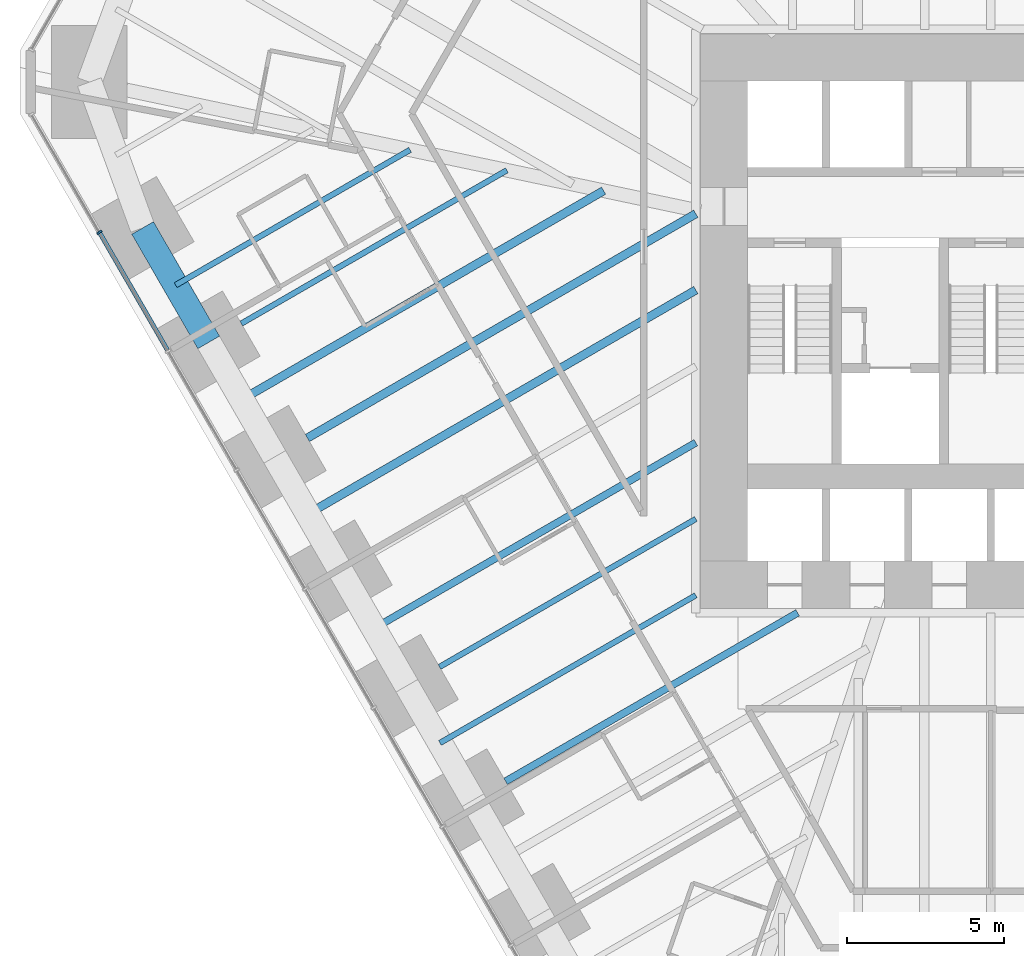
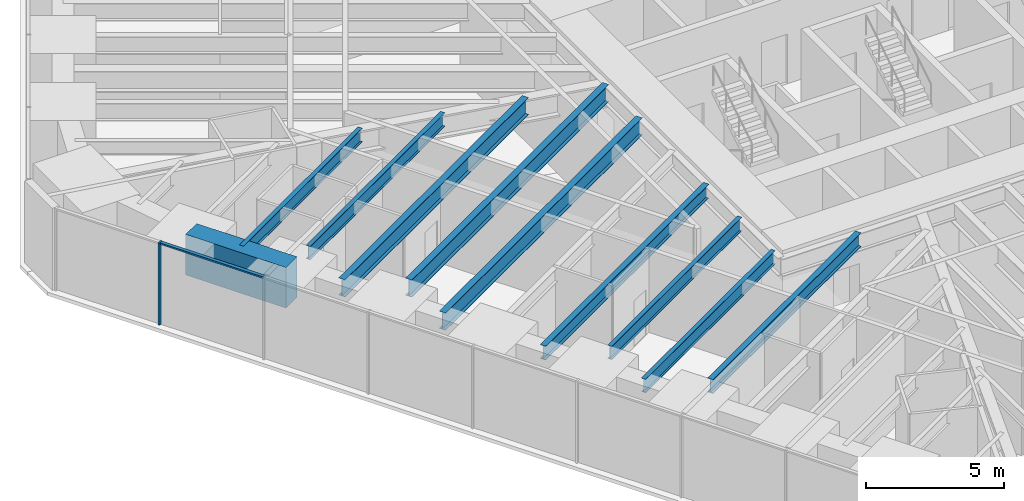
# One storey, part 3 of 17: 10 beams, 2 members, 1 element without a shape of its own.
"""IFC4 building model written with IfcOpenShell, lengths in metres."""

from ifc_helpers import new_model, si_unit, direction, frame, origin, origin_2d, place, context, subcontext, project, spatial, rectangle, i_section, extrude, material, material_profile, profile_set, type_object, element, aggregate, save


model = new_model("IFC4")

# Units and contexts
model_context = context("Model", 3, precision=1e-05, world=origin(), true_north=direction((0.0, 1.0)))
body_context = subcontext(model_context, "Body", "Model", "MODEL_VIEW")
ifc_project = project(units=[si_unit("LENGTHUNIT", "METRE"), si_unit("AREAUNIT", "SQUARE_METRE"), si_unit("VOLUMEUNIT", "CUBIC_METRE"), si_unit("PLANEANGLEUNIT", "RADIAN"), si_unit("MASSUNIT", "GRAM", prefix="KILO")], contexts=[model_context])

# Site, building, storey
site_placement = place(None, origin())
site = spatial("IfcSite", under=ifc_project, at=site_placement, CompositionType="ELEMENT")
building_placement = place(site_placement, origin())
building = spatial("IfcBuilding", under=site, at=building_placement, Name="Sandreach Pilgrim Tower", CompositionType="ELEMENT")
storey_placement = place(building_placement, frame((0.0, 0.0, 53.39990234375)))
storey = spatial("IfcBuildingStorey", under=building, at=storey_placement, Name="L12", CompositionType="ELEMENT", Elevation=53.39990234375)

# Curtain wall, members
ifc_material_1 = material(Name="Aluminium framed curtain wall", Category="aluminium")
curtain_wall_type = type_object("IfcCurtainWallType", Name="Hostel tower curtain wall", PredefinedType="NOTDEFINED", material=ifc_material_1)
curtain_wall_placement = place(storey_placement, origin())
curtain_wall = element("IfcCurtainWall", 1, at=curtain_wall_placement, inside=storey, type_object=curtain_wall_type, Name="CW-1 L12 SW", PredefinedType="NOTDEFINED")
ifc_material_2 = material(Name="Aluminium extrusion", Category="aluminium")
ifc_material_profile_1 = material_profile(ifc_material_2, rectangle(XDim=0.06494140625, YDim=0.179931640625, at=origin_2d()), Name="CW-1M 65X180")
ifc_profile_set_1 = profile_set([ifc_material_profile_1], Name="Aluminium extrusion")
member_type_1 = type_object("IfcMemberType", Name="CW-1 mullion", PredefinedType="MULLION", material=ifc_profile_set_1)
member_1_placement = place(storey_placement, frame((-28.390380859375, 1.2763671875, 0.0), z_axis=(0.0, 0.0, 1.0), x_axis=(-0.5, 0.866025403784, 0.0)))
member_1 = element("IfcMember", 2, at=member_1_placement, type_object=member_type_1, Name="CW-1 mullion 9", PredefinedType="MULLION", context=body_context, shape_type="SweptSolid", body=[
    extrude(rectangle(XDim=0.06494140625, YDim=0.179931640625, at=origin_2d()), origin(), (0.0, 0.0, 1.0), 3.64013671875),
])
ifc_material_3 = material(Name="Aluminium extrusion", Category="aluminium")
ifc_material_profile_2 = material_profile(ifc_material_3, rectangle(XDim=0.139892578125, YDim=0.070068359375, at=origin_2d()), Name="CW-1T 140X70")
ifc_profile_set_2 = profile_set([ifc_material_profile_2], Name="Aluminium extrusion")
member_type_2 = type_object("IfcMemberType", Name="CW-1 transom", PredefinedType="USERDEFINED", material=ifc_profile_set_2)
member_2_placement = place(storey_placement, frame((-26.220947265625, -2.4814453125, 3.60498046875), z_axis=(-0.500016891966, 0.866015650984, 0.0), x_axis=(-0.866015650984, -0.500016891966, 0.0)))
member_2 = element("IfcMember", 3, at=member_2_placement, type_object=member_type_2, Name="CW-1 head transom 8", ObjectType="TRANSOM", PredefinedType="USERDEFINED", context=body_context, shape_type="SweptSolid", body=[
    extrude(rectangle(XDim=0.139892578125, YDim=0.070068359375, at=origin_2d()), origin(), (0.0, 0.0, 1.0), 4.306396484375),
])
aggregate(curtain_wall, [member_1, member_2])

# Beams
ifc_material_4 = material(Name="Steel ASTM A992 Grade 50", Category="steel")
ifc_material_profile_3 = material_profile(ifc_material_4, i_section(OverallWidth=0.1787109375, OverallDepth=0.60205078125, WebThickness=0.010986328125, FlangeThickness=0.014892578125, at=origin_2d()), Name="W24X62")
ifc_profile_set_3 = profile_set([ifc_material_profile_3], Name="Steel ASTM A992 Grade 50")
beam_type_1 = type_object("IfcBeamType", Name="Floor beam W24X62", PredefinedType="BEAM", material=ifc_profile_set_3)
beam_1_placement = place(storey_placement, frame((-17.557373046875, -12.5673828125, 3.339111328125), z_axis=(0.866020839647, 0.500007905235, 0.0), x_axis=(-0.500007905235, 0.866020839647, 0.0)))
element("IfcBeam", 4, at=beam_1_placement, inside=storey, type_object=beam_type_1, Name="BM L12 F30", PredefinedType="BEAM", context=body_context, shape_type="SweptSolid", body=[
    extrude(i_section(OverallWidth=0.1787109375, OverallDepth=0.60205078125, WebThickness=0.010986328125, FlangeThickness=0.014892578125, at=origin_2d()), origin(), (0.0, 0.0, 1.0), 9.427001953125),
])
beam_2_placement = place(storey_placement, frame((-23.8720703125, -1.629638671875, 3.339111328125), z_axis=(0.866025751498, 0.499999397742, 0.0), x_axis=(-0.499999397742, 0.866025751498, 0.0)))
element("IfcBeam", 5, at=beam_2_placement, inside=storey, type_object=beam_type_1, Name="BM L12 F33", PredefinedType="BEAM", context=body_context, shape_type="SweptSolid", body=[
    extrude(i_section(OverallWidth=0.1787109375, OverallDepth=0.60205078125, WebThickness=0.010986328125, FlangeThickness=0.014892578125, at=origin_2d()), origin(), (0.0, 0.0, 1.0), 9.767578125),
])
beam_3_placement = place(storey_placement, frame((-17.5439453125, -14.990234375, 3.339111328125), z_axis=(0.86602359238, 0.500003137431, 0.0), x_axis=(-0.500003137431, 0.86602359238, 0.0)))
element("IfcBeam", 6, at=beam_3_placement, inside=storey, type_object=beam_type_1, Name="BM L12 FM29", PredefinedType="BEAM", context=body_context, shape_type="SweptSolid", body=[
    extrude(i_section(OverallWidth=0.1787109375, OverallDepth=0.60205078125, WebThickness=0.010986328125, FlangeThickness=0.014892578125, at=origin_2d()), origin(), (0.0, 0.0, 1.0), 9.41162109375),
])
beam_4_placement = place(storey_placement, frame((-25.9638671875, -0.40673828125, 3.339111328125), z_axis=(0.866020100198, 0.500009185969, 0.0), x_axis=(-0.500009185969, 0.866020100198, 0.0)))
element("IfcBeam", 7, at=beam_4_placement, inside=storey, type_object=beam_type_1, Name="BM L12 FM33", PredefinedType="BEAM", context=body_context, shape_type="SweptSolid", body=[
    extrude(i_section(OverallWidth=0.1787109375, OverallDepth=0.60205078125, WebThickness=0.010986328125, FlangeThickness=0.014892578125, at=origin_2d()), origin(), (0.0, 0.0, 1.0), 8.623291015625),
])
ifc_material_5 = material(Name="Steel ASTM A992 Grade 50", Category="steel")
ifc_material_profile_4 = material_profile(ifc_material_5, i_section(OverallWidth=0.23046875, OverallDepth=0.6171875, WebThickness=0.01318359375, FlangeThickness=0.022216796875, at=origin_2d()), Name="W24X94")
ifc_profile_set_4 = profile_set([ifc_material_profile_4], Name="Steel ASTM A992 Grade 50")
beam_type_2 = type_object("IfcBeamType", Name="Floor beam W24X94", PredefinedType="BEAM", material=ifc_profile_set_4)
beam_5_placement = place(storey_placement, frame((-15.452392578125, -16.213134765625, 3.33154296875), z_axis=(0.866028486751, 0.499994660107, 0.0), x_axis=(-0.499994660107, 0.866028486751, 0.0)))
element("IfcBeam", 8, at=beam_5_placement, inside=storey, type_object=beam_type_2, Name="BM L12 F29", PredefinedType="BEAM", context=body_context, shape_type="SweptSolid", body=[
    extrude(i_section(OverallWidth=0.23046875, OverallDepth=0.6171875, WebThickness=0.01318359375, FlangeThickness=0.022216796875, at=origin_2d()), origin(), (0.0, 0.0, 1.0), 10.73974609375),
])
beam_6_placement = place(storey_placement, frame((-19.64892578125, -11.34423828125, 3.33154296875), z_axis=(0.866032123691, 0.4999883606, 0.0), x_axis=(-0.4999883606, 0.866032123691, 0.0)))
element("IfcBeam", 9, at=beam_6_placement, inside=storey, type_object=beam_type_2, Name="BM L12 FM30", PredefinedType="BEAM", context=body_context, shape_type="SweptSolid", body=[
    extrude(i_section(OverallWidth=0.23046875, OverallDepth=0.6171875, WebThickness=0.01318359375, FlangeThickness=0.022216796875, at=origin_2d()), origin(), (0.0, 0.0, 1.0), 11.842041015625),
])
ifc_material_6 = material(Name="Steel ASTM A992 Grade 50", Category="steel")
ifc_material_profile_5 = material_profile(ifc_material_6, i_section(OverallWidth=0.2666015625, OverallDepth=0.761962890625, WebThickness=0.014404296875, FlangeThickness=0.021484375, at=origin_2d()), Name="W30X116")
ifc_profile_set_5 = profile_set([ifc_material_profile_5], Name="Steel ASTM A992 Grade 50")
beam_type_3 = type_object("IfcBeamType", Name="Floor beam W30X116", PredefinedType="BEAM", material=ifc_profile_set_5)
beam_7_placement = place(storey_placement, frame((-21.76708984375, -5.275390625, 3.259033203125), z_axis=(0.866024247282, 0.500002003116, 0.0), x_axis=(-0.500002003116, 0.866024247282, 0.0)))
element("IfcBeam", 10, at=beam_7_placement, inside=storey, type_object=beam_type_3, Name="BM L12 F32", PredefinedType="BEAM", context=body_context, shape_type="SweptSolid", body=[
    extrude(i_section(OverallWidth=0.2666015625, OverallDepth=0.761962890625, WebThickness=0.014404296875, FlangeThickness=0.021484375, at=origin_2d()), origin(), (0.0, 0.0, 1.0), 14.2880859375),
])
beam_8_placement = place(storey_placement, frame((-21.75390625, -7.698486328125, 3.259033203125), z_axis=(0.866022935671, 0.500004274874, 0.0), x_axis=(-0.500004274874, 0.866022935671, 0.0)))
element("IfcBeam", 11, at=beam_8_placement, inside=storey, type_object=beam_type_3, Name="BM L12 FM31", PredefinedType="BEAM", context=body_context, shape_type="SweptSolid", body=[
    extrude(i_section(OverallWidth=0.2666015625, OverallDepth=0.761962890625, WebThickness=0.014404296875, FlangeThickness=0.021484375, at=origin_2d()), origin(), (0.0, 0.0, 1.0), 14.27294921875),
])
beam_9_placement = place(storey_placement, frame((-23.85888671875, -4.052490234375, 3.259033203125), z_axis=(0.866029213426, 0.499993401449, 0.0), x_axis=(-0.499993401449, 0.866029213426, 0.0)))
element("IfcBeam", 12, at=beam_9_placement, inside=storey, type_object=beam_type_3, Name="BM L12 FM32", PredefinedType="BEAM", context=body_context, shape_type="SweptSolid", body=[
    extrude(i_section(OverallWidth=0.2666015625, OverallDepth=0.761962890625, WebThickness=0.014404296875, FlangeThickness=0.021484375, at=origin_2d()), origin(), (0.0, 0.0, 1.0), 13.311767578125),
])
ifc_material_7 = material(Name="Concrete 10000 psi", Category="concrete")
ifc_material_profile_6 = material_profile(ifc_material_7, rectangle(XDim=0.800048828125, YDim=1.800048828125, at=origin_2d()), Name="RC800X1800")
ifc_profile_set_6 = profile_set([ifc_material_profile_6], Name="Concrete 10000 psi")
beam_type_4 = type_object("IfcBeamType", Name="Spandrel beam RC800X1800", PredefinedType="SPANDREL", material=ifc_profile_set_6)
beam_10_placement = place(storey_placement, frame((-24.911376953125, -2.229736328125, 2.739990234375), z_axis=(-0.499993523031, 0.866029143232, 0.0), x_axis=(-0.866029143232, -0.499993523031, 0.0)))
element("IfcBeam", 13, at=beam_10_placement, inside=storey, type_object=beam_type_4, Name="BM L12 SP33", PredefinedType="SPANDREL", context=body_context, shape_type="SweptSolid", body=[
    extrude(rectangle(XDim=0.800048828125, YDim=1.800048828125, at=origin_2d()), origin(), (0.0, 0.0, 1.0), 4.2099609375),
])

save(model, "model.ifc")
